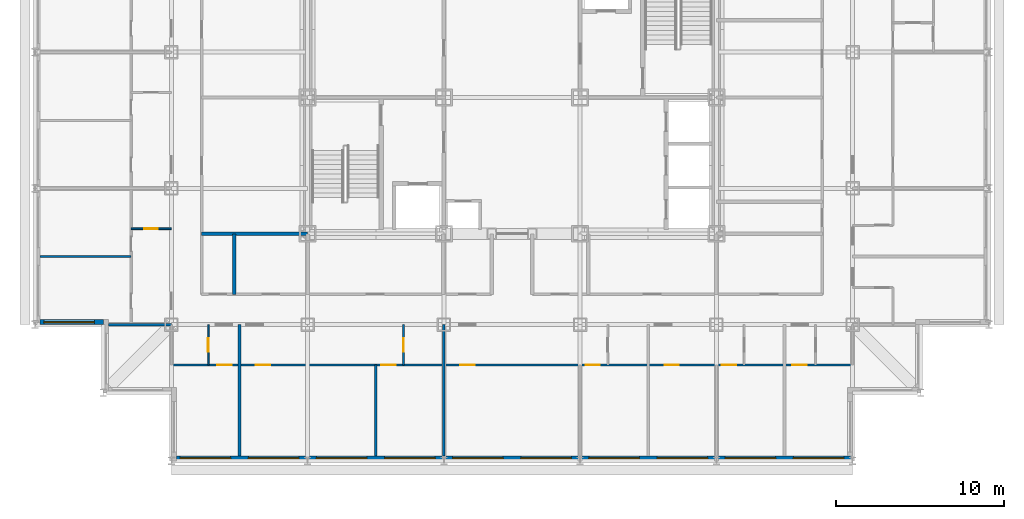
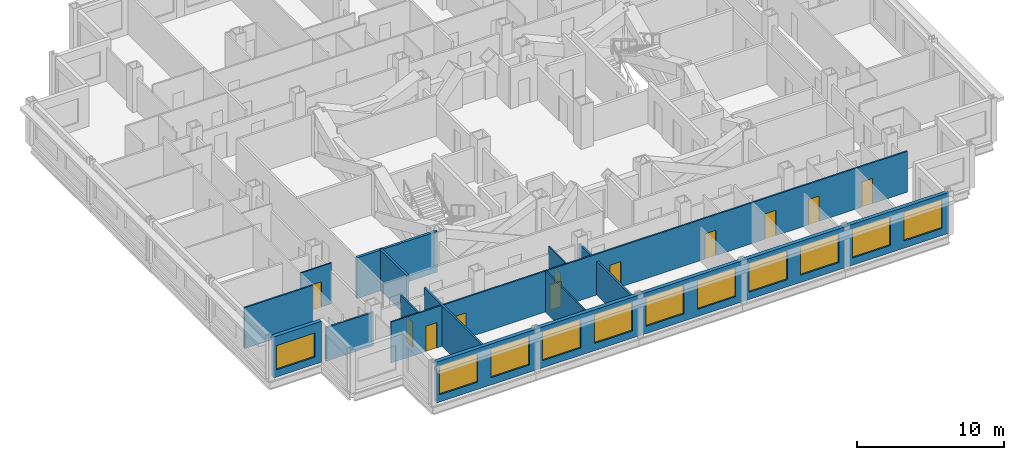
# One storey, part 4 of 12: 13 walls, 11 doors, 11 windows, 22 openings.
"""IFC4 building model written with IfcOpenShell, lengths in metres."""

from ifc_helpers import new_model, si_unit, direction, frame, frame_2d, origin, place, context, subcontext, project, spatial, rectangle, extrude, material, layer, layer_set, type_object, element, fill, save


model = new_model("IFC4")

# Units and contexts
model_context = context("Model", 3, precision=1e-05, world=origin(), true_north=direction((0.0, 1.0)))
body_context = subcontext(model_context, "Body", "Model", "MODEL_VIEW")
ifc_project = project(units=[si_unit("LENGTHUNIT", "METRE"), si_unit("AREAUNIT", "SQUARE_METRE"), si_unit("VOLUMEUNIT", "CUBIC_METRE"), si_unit("PLANEANGLEUNIT", "RADIAN"), si_unit("MASSUNIT", "GRAM", prefix="KILO")], contexts=[model_context])

# Site, building, storey
site_placement = place(None, origin())
site = spatial("IfcSite", under=ifc_project, at=site_placement, CompositionType="ELEMENT")
building_placement = place(site_placement, origin())
building = spatial("IfcBuilding", under=site, at=building_placement, Name="Kopane Lantern Tower", CompositionType="ELEMENT")
storey_placement = place(building_placement, frame((0.0, 0.0, 195.60009765625)))
storey = spatial("IfcBuildingStorey", under=building, at=storey_placement, Name="L50", CompositionType="ELEMENT", Elevation=195.60009765625)

# Walls
ifc_material_1 = material(Name="Gypsum board on steel studs", Category="steel")
ifc_layer_1 = layer(ifc_material_1, 0.1201171875)
ifc_layer_set_1 = layer_set([ifc_layer_1], Name="APARTMENT INTERNAL WALL 120")
wall_type_1 = type_object("IfcWallType", Name="APARTMENT INTERNAL WALL 120", PredefinedType="PARTITIONING", material=ifc_layer_set_1)
for number, where, z_axis, x_axis, name in (
    (1, (20.25, 16.5, 0.0), (0.0, 0.0, 1.0), (0.0, -1.0, 0.0), "Apartment Internal Wall 120 L50"),
    (2, (5.699951171875, 22.949951171875, 0.0), (0.0, 0.0, 1.0), (-1.0, 0.0, 0.0), "Apartment Internal Wall 120 L50"),
):
    element("IfcWall", number, at=place(storey_placement, frame(where, z_axis=z_axis, x_axis=x_axis)), inside=storey, type_object=wall_type_1, Name=name, PredefinedType="PARTITIONING", context=body_context, shape_type="SweptSolid", body=[
        extrude(rectangle(XDim=5.39990234375, YDim=0.1201171875, at=frame_2d((2.699951171875, 0.0))), origin(), (0.0, 0.0, 1.0), 3.389892578125),
    ])

# Wall, openings, doors
wall_1_placement = place(storey_placement, frame((8.10009765625, 16.5, 0.0), z_axis=(0.0, 0.0, 1.0), x_axis=(1.0, 0.0, 0.0)))
wall_1 = element("IfcWall", 3, at=wall_1_placement, inside=storey, type_object=wall_type_1, Name="Apartment Internal Wall 120 L50", PredefinedType="PARTITIONING", context=body_context, shape_type="SweptSolid", body=[
    extrude(rectangle(XDim=40.5, YDim=0.1201171875, at=frame_2d((20.25, 0.0))), origin(), (0.0, 0.0, 1.0), 3.389892578125),
])
opening_1_placement = place(wall_1_placement, frame((5.02490234375, 0.0, 0.0)))
opening_1 = element("IfcOpeningElement", 4, at=opening_1_placement, cuts=wall_1, Name="Opening L50-016", PredefinedType="OPENING", context=body_context, shape_type="SweptSolid", body=[
    extrude(rectangle(XDim=0.85009765625, YDim=2.10009765625, at=frame_2d((0.425048828125, 1.050048828125))), frame((0.0, 0.070068359375, 0.0), z_axis=(0.0, -1.0, 0.0), x_axis=(1.0, 0.0, 0.0)), (0.0, 0.0, 1.0), 0.14013671875),
])
opening_2_placement = place(wall_1_placement, frame((12.47509765625, 0.0, 0.0)))
opening_2 = element("IfcOpeningElement", 5, at=opening_2_placement, cuts=wall_1, Name="Opening L50-017", PredefinedType="OPENING", context=body_context, shape_type="SweptSolid", body=[
    extrude(rectangle(XDim=0.85009765625, YDim=2.10009765625, at=frame_2d((0.425048828125, 1.050048828125))), frame((0.0, 0.070068359375, 0.0), z_axis=(0.0, -1.0, 0.0), x_axis=(1.0, 0.0, 0.0)), (0.0, 0.0, 1.0), 0.14013671875),
])
opening_3_placement = place(wall_1_placement, frame((17.175048828125, 0.0, 0.0)))
opening_3 = element("IfcOpeningElement", 6, at=opening_3_placement, cuts=wall_1, Name="Opening L50-020", PredefinedType="OPENING", context=body_context, shape_type="SweptSolid", body=[
    extrude(rectangle(XDim=0.85009765625, YDim=2.10009765625, at=frame_2d((0.425048828125, 1.050048828125))), frame((0.0, 0.070068359375, 0.0), z_axis=(0.0, -1.0, 0.0), x_axis=(1.0, 0.0, 0.0)), (0.0, 0.0, 1.0), 0.14013671875),
])
opening_4_placement = place(wall_1_placement, frame((24.625, 0.0, 0.0)))
opening_4 = element("IfcOpeningElement", 7, at=opening_4_placement, cuts=wall_1, Name="Opening L50-021", PredefinedType="OPENING", context=body_context, shape_type="SweptSolid", body=[
    extrude(rectangle(XDim=0.85009765625, YDim=2.10009765625, at=frame_2d((0.425048828125, 1.050048828125))), frame((0.0, 0.070068359375, 0.0), z_axis=(0.0, -1.0, 0.0), x_axis=(1.0, 0.0, 0.0)), (0.0, 0.0, 1.0), 0.14013671875),
])
opening_5_placement = place(wall_1_placement, frame((29.324951171875, 0.0, 0.0)))
opening_5 = element("IfcOpeningElement", 8, at=opening_5_placement, cuts=wall_1, Name="Opening L50-024", PredefinedType="OPENING", context=body_context, shape_type="SweptSolid", body=[
    extrude(rectangle(XDim=0.85009765625, YDim=2.10009765625, at=frame_2d((0.425048828125, 1.050048828125))), frame((0.0, 0.070068359375, 0.0), z_axis=(0.0, -1.0, 0.0), x_axis=(1.0, 0.0, 0.0)), (0.0, 0.0, 1.0), 0.14013671875),
])
opening_6_placement = place(wall_1_placement, frame((32.72509765625, 0.0, 0.0)))
opening_6 = element("IfcOpeningElement", 9, at=opening_6_placement, cuts=wall_1, Name="Opening L50-025", PredefinedType="OPENING", context=body_context, shape_type="SweptSolid", body=[
    extrude(rectangle(XDim=0.85009765625, YDim=2.10009765625, at=frame_2d((0.425048828125, 1.050048828125))), frame((0.0, 0.070068359375, 0.0), z_axis=(0.0, -1.0, 0.0), x_axis=(1.0, 0.0, 0.0)), (0.0, 0.0, 1.0), 0.14013671875),
])
opening_7_placement = place(wall_1_placement, frame((2.72509765625, 0.0, 0.0)))
opening_7 = element("IfcOpeningElement", 10, at=opening_7_placement, cuts=wall_1, Name="Opening L50-064", PredefinedType="OPENING", context=body_context, shape_type="SweptSolid", body=[
    extrude(rectangle(XDim=0.85009765625, YDim=2.10009765625, at=frame_2d((0.425048828125, 1.050048828125))), frame((0.0, 0.070068359375, 0.0), z_axis=(0.0, -1.0, 0.0), x_axis=(1.0, 0.0, 0.0)), (0.0, 0.0, 1.0), 0.14013671875),
])
opening_8_placement = place(wall_1_placement, frame((36.925048828125, 0.0, 0.0)))
opening_8 = element("IfcOpeningElement", 11, at=opening_8_placement, cuts=wall_1, Name="Opening L50-067", PredefinedType="OPENING", context=body_context, shape_type="SweptSolid", body=[
    extrude(rectangle(XDim=0.85009765625, YDim=2.10009765625, at=frame_2d((0.425048828125, 1.050048828125))), frame((0.0, 0.070068359375, 0.0), z_axis=(0.0, -1.0, 0.0), x_axis=(1.0, 0.0, 0.0)), (0.0, 0.0, 1.0), 0.14013671875),
])
ifc_material_2 = material(Name="Timber door set", Category="wood")
door_type_1 = type_object("IfcDoorType", Name="DOOR D4 850x2100", OperationType="SINGLE_SWING_LEFT", PredefinedType="DOOR", material=ifc_material_2)
door_1_placement = place(opening_1_placement, origin())
door_1 = element("IfcDoor", 12, at=door_1_placement, inside=storey, type_object=door_type_1, Name="Door L50-016", OperationType="SINGLE_SWING_LEFT", OverallHeight=2.10009765625, OverallWidth=0.85009765625, PredefinedType="DOOR", context=body_context, shape_type="SweptSolid", body=[
    extrude(rectangle(XDim=0.85009765625, YDim=2.10009765625, at=frame_2d((0.425048828125, 1.050048828125))), frame((0.0, 0.02490234375, 0.0), z_axis=(0.0, -1.0, 0.0), x_axis=(1.0, 0.0, 0.0)), (0.0, 0.0, 1.0), 0.050048828125),
])
fill(opening_1, door_1)
door_2_placement = place(opening_2_placement, origin())
door_2 = element("IfcDoor", 13, at=door_2_placement, inside=storey, type_object=door_type_1, Name="Door L50-017", OperationType="SINGLE_SWING_RIGHT", OverallHeight=2.10009765625, OverallWidth=0.85009765625, PredefinedType="DOOR", context=body_context, shape_type="SweptSolid", body=[
    extrude(rectangle(XDim=0.85009765625, YDim=2.10009765625, at=frame_2d((0.425048828125, 1.050048828125))), frame((0.0, 0.02490234375, 0.0), z_axis=(0.0, -1.0, 0.0), x_axis=(1.0, 0.0, 0.0)), (0.0, 0.0, 1.0), 0.050048828125),
])
fill(opening_2, door_2)
door_3_placement = place(opening_3_placement, origin())
door_3 = element("IfcDoor", 14, at=door_3_placement, inside=storey, type_object=door_type_1, Name="Door L50-020", OperationType="SINGLE_SWING_RIGHT", OverallHeight=2.10009765625, OverallWidth=0.85009765625, PredefinedType="DOOR", context=body_context, shape_type="SweptSolid", body=[
    extrude(rectangle(XDim=0.85009765625, YDim=2.10009765625, at=frame_2d((0.425048828125, 1.050048828125))), frame((0.0, 0.02490234375, 0.0), z_axis=(0.0, -1.0, 0.0), x_axis=(1.0, 0.0, 0.0)), (0.0, 0.0, 1.0), 0.050048828125),
])
fill(opening_3, door_3)
door_4_placement = place(opening_4_placement, origin())
door_4 = element("IfcDoor", 15, at=door_4_placement, inside=storey, type_object=door_type_1, Name="Door L50-021", OperationType="SINGLE_SWING_RIGHT", OverallHeight=2.10009765625, OverallWidth=0.85009765625, PredefinedType="DOOR", context=body_context, shape_type="SweptSolid", body=[
    extrude(rectangle(XDim=0.85009765625, YDim=2.10009765625, at=frame_2d((0.425048828125, 1.050048828125))), frame((0.0, 0.02490234375, 0.0), z_axis=(0.0, -1.0, 0.0), x_axis=(1.0, 0.0, 0.0)), (0.0, 0.0, 1.0), 0.050048828125),
])
fill(opening_4, door_4)
door_5_placement = place(opening_5_placement, origin())
door_5 = element("IfcDoor", 16, at=door_5_placement, inside=storey, type_object=door_type_1, Name="Door L50-024", OperationType="SINGLE_SWING_LEFT", OverallHeight=2.10009765625, OverallWidth=0.85009765625, PredefinedType="DOOR", context=body_context, shape_type="SweptSolid", body=[
    extrude(rectangle(XDim=0.85009765625, YDim=2.10009765625, at=frame_2d((0.425048828125, 1.050048828125))), frame((0.0, 0.02490234375, 0.0), z_axis=(0.0, -1.0, 0.0), x_axis=(1.0, 0.0, 0.0)), (0.0, 0.0, 1.0), 0.050048828125),
])
fill(opening_5, door_5)
door_6_placement = place(opening_6_placement, origin())
door_6 = element("IfcDoor", 17, at=door_6_placement, inside=storey, type_object=door_type_1, Name="Door L50-025", OperationType="SINGLE_SWING_RIGHT", OverallHeight=2.10009765625, OverallWidth=0.85009765625, PredefinedType="DOOR", context=body_context, shape_type="SweptSolid", body=[
    extrude(rectangle(XDim=0.85009765625, YDim=2.10009765625, at=frame_2d((0.425048828125, 1.050048828125))), frame((0.0, 0.02490234375, 0.0), z_axis=(0.0, -1.0, 0.0), x_axis=(1.0, 0.0, 0.0)), (0.0, 0.0, 1.0), 0.050048828125),
])
fill(opening_6, door_6)
door_7_placement = place(opening_7_placement, origin())
door_7 = element("IfcDoor", 18, at=door_7_placement, inside=storey, type_object=door_type_1, Name="Door L50-064", OperationType="SINGLE_SWING_LEFT", OverallHeight=2.10009765625, OverallWidth=0.85009765625, PredefinedType="DOOR", context=body_context, shape_type="SweptSolid", body=[
    extrude(rectangle(XDim=0.85009765625, YDim=2.10009765625, at=frame_2d((0.425048828125, 1.050048828125))), frame((0.0, 0.02490234375, 0.0), z_axis=(0.0, -1.0, 0.0), x_axis=(1.0, 0.0, 0.0)), (0.0, 0.0, 1.0), 0.050048828125),
])
fill(opening_7, door_7)
door_8_placement = place(opening_8_placement, origin())
door_8 = element("IfcDoor", 19, at=door_8_placement, inside=storey, type_object=door_type_1, Name="Door L50-067", OperationType="SINGLE_SWING_RIGHT", OverallHeight=2.10009765625, OverallWidth=0.85009765625, PredefinedType="DOOR", context=body_context, shape_type="SweptSolid", body=[
    extrude(rectangle(XDim=0.85009765625, YDim=2.10009765625, at=frame_2d((0.425048828125, 1.050048828125))), frame((0.0, 0.02490234375, 0.0), z_axis=(0.0, -1.0, 0.0), x_axis=(1.0, 0.0, 0.0)), (0.0, 0.0, 1.0), 0.050048828125),
])
fill(opening_8, door_8)

# Wall, opening, door
ifc_material_3 = material(Name="Moisture-resistant board on steel studs", Category="steel")
ifc_layer_2 = layer(ifc_material_3, 0.10009765625)
ifc_layer_set_2 = layer_set([ifc_layer_2], Name="BATHROOM WALL 100")
wall_type_2 = type_object("IfcWallType", Name="BATHROOM WALL 100", PredefinedType="PARTITIONING", material=ifc_layer_set_2)
wall_2_placement = place(storey_placement, frame((21.89990234375, 18.89990234375, 0.0), z_axis=(0.0, 0.0, 1.0), x_axis=(0.0, -1.0, 0.0)))
wall_2 = element("IfcWall", 20, at=wall_2_placement, inside=storey, type_object=wall_type_2, Name="Bathroom Wall 100 L50", PredefinedType="PARTITIONING", context=body_context, shape_type="SweptSolid", body=[
    extrude(rectangle(XDim=2.39990234375, YDim=0.10009765625, at=frame_2d((1.199951171875, 0.0))), origin(), (0.0, 0.0, 1.0), 3.389892578125),
])
opening_9_placement = place(wall_2_placement, frame((0.800048828125, 0.0, 0.0)))
opening_9 = element("IfcOpeningElement", 21, at=opening_9_placement, cuts=wall_2, Name="Opening L50-014", PredefinedType="OPENING", context=body_context, shape_type="SweptSolid", body=[
    extrude(rectangle(XDim=0.800048828125, YDim=2.10009765625, at=frame_2d((0.39990234375, 1.050048828125))), frame((0.0, 0.06005859375, 0.0), z_axis=(0.0, -1.0, 0.0), x_axis=(1.0, 0.0, 0.0)), (0.0, 0.0, 1.0), 0.1201171875),
])
ifc_material_4 = material(Name="Timber door set", Category="wood")
door_type_2 = type_object("IfcDoorType", Name="DOOR D2 800x2100", OperationType="SINGLE_SWING_LEFT", PredefinedType="DOOR", material=ifc_material_4)
door_9_placement = place(opening_9_placement, origin())
door_9 = element("IfcDoor", 22, at=door_9_placement, inside=storey, type_object=door_type_2, Name="Door L50-014", OperationType="SINGLE_SWING_LEFT", OverallHeight=2.10009765625, OverallWidth=0.800048828125, PredefinedType="DOOR", context=body_context, shape_type="SweptSolid", body=[
    extrude(rectangle(XDim=0.800048828125, YDim=2.10009765625, at=frame_2d((0.39990234375, 1.050048828125))), frame((0.0, 0.02490234375, 0.0), z_axis=(0.0, -1.0, 0.0), x_axis=(1.0, 0.0, 0.0)), (0.0, 0.0, 1.0), 0.050048828125),
])
fill(opening_9, door_9)

wall_3_placement = place(storey_placement, frame((8.10009765625, 24.60009765625, 0.0), z_axis=(0.0, 0.0, 1.0), x_axis=(-1.0, 0.0, 0.0)))
wall_3 = element("IfcWall", 23, at=wall_3_placement, inside=storey, type_object=wall_type_2, Name="Bathroom Wall 100 L50", PredefinedType="PARTITIONING", context=body_context, shape_type="SweptSolid", body=[
    extrude(rectangle(XDim=2.400146484375, YDim=0.10009765625, at=frame_2d((1.2001953125, 0.0))), origin(), (0.0, 0.0, 1.0), 3.389892578125),
])
opening_10_placement = place(wall_3_placement, frame((0.800048828125, 0.0, 0.0)))
opening_10 = element("IfcOpeningElement", 24, at=opening_10_placement, cuts=wall_3, Name="Opening L50-040", PredefinedType="OPENING", context=body_context, shape_type="SweptSolid", body=[
    extrude(rectangle(XDim=0.800048828125, YDim=2.10009765625, at=frame_2d((0.39990234375, 1.050048828125))), frame((0.0, 0.06005859375, 0.0), z_axis=(0.0, -1.0, 0.0), x_axis=(1.0, 0.0, 0.0)), (0.0, 0.0, 1.0), 0.1201171875),
])
door_10_placement = place(opening_10_placement, origin())
door_10 = element("IfcDoor", 25, at=door_10_placement, inside=storey, type_object=door_type_2, Name="Door L50-040", OperationType="SINGLE_SWING_RIGHT", OverallHeight=2.10009765625, OverallWidth=0.800048828125, PredefinedType="DOOR", context=body_context, shape_type="SweptSolid", body=[
    extrude(rectangle(XDim=0.800048828125, YDim=2.10009765625, at=frame_2d((0.39990234375, 1.050048828125))), frame((0.0, 0.02490234375, 0.0), z_axis=(0.0, -1.0, 0.0), x_axis=(1.0, 0.0, 0.0)), (0.0, 0.0, 1.0), 0.050048828125),
])
fill(opening_10, door_10)

wall_4_placement = place(storey_placement, frame((10.300048828125, 18.89990234375, 0.0), z_axis=(0.0, 0.0, 1.0), x_axis=(0.0, -1.0, 0.0)))
wall_4 = element("IfcWall", 26, at=wall_4_placement, inside=storey, type_object=wall_type_2, Name="Bathroom Wall 100 L50", PredefinedType="PARTITIONING", context=body_context, shape_type="SweptSolid", body=[
    extrude(rectangle(XDim=2.39990234375, YDim=0.10009765625, at=frame_2d((1.199951171875, 0.0))), origin(), (0.0, 0.0, 1.0), 3.389892578125),
])
opening_11_placement = place(wall_4_placement, frame((0.800048828125, 0.0, 0.0)))
opening_11 = element("IfcOpeningElement", 27, at=opening_11_placement, cuts=wall_4, Name="Opening L50-062", PredefinedType="OPENING", context=body_context, shape_type="SweptSolid", body=[
    extrude(rectangle(XDim=0.800048828125, YDim=2.10009765625, at=frame_2d((0.39990234375, 1.050048828125))), frame((0.0, 0.06005859375, 0.0), z_axis=(0.0, -1.0, 0.0), x_axis=(1.0, 0.0, 0.0)), (0.0, 0.0, 1.0), 0.1201171875),
])
door_11_placement = place(opening_11_placement, origin())
door_11 = element("IfcDoor", 28, at=door_11_placement, inside=storey, type_object=door_type_2, Name="Door L50-062", OperationType="SINGLE_SWING_RIGHT", OverallHeight=2.10009765625, OverallWidth=0.800048828125, PredefinedType="DOOR", context=body_context, shape_type="SweptSolid", body=[
    extrude(rectangle(XDim=0.800048828125, YDim=2.10009765625, at=frame_2d((0.39990234375, 1.050048828125))), frame((0.0, 0.02490234375, 0.0), z_axis=(0.0, -1.0, 0.0), x_axis=(1.0, 0.0, 0.0)), (0.0, 0.0, 1.0), 0.050048828125),
])
fill(opening_11, door_11)

# Walls
ifc_material_5 = material(Name="Gypsum board on steel studs", Category="steel")
ifc_layer_3 = layer(ifc_material_5, 0.14990234375)
ifc_layer_set_3 = layer_set([ifc_layer_3], Name="DEMISING WALL 150 EI 60")
wall_type_3 = type_object("IfcWallType", Name="DEMISING WALL 150 EI 60", PredefinedType="PARTITIONING", material=ifc_layer_set_3)
wall_5_placement = place(storey_placement, frame((24.300048828125, 18.89990234375, 0.0), z_axis=(0.0, 0.0, 1.0), x_axis=(0.0, -1.0, 0.0)))
element("IfcWall", 29, at=wall_5_placement, inside=storey, type_object=wall_type_3, Name="Demising Wall 150 Ei 60 L50", PredefinedType="PARTITIONING", context=body_context, shape_type="SweptSolid", body=[
    extrude(rectangle(XDim=7.7998046875, YDim=0.14990234375, at=frame_2d((3.89990234375, 0.0))), origin(), (0.0, 0.0, 1.0), 2.777587890625),
])
wall_6_placement = place(storey_placement, frame((4.35009765625, 18.89990234375, 0.0), z_axis=(0.0, 0.0, 1.0), x_axis=(1.0, 0.0, 0.0)))
element("IfcWall", 30, at=wall_6_placement, inside=storey, type_object=wall_type_3, Name="Demising Wall 150 Ei 60 L50", PredefinedType="PARTITIONING", context=body_context, shape_type="SweptSolid", body=[
    extrude(rectangle(XDim=3.75, YDim=0.14990234375, at=frame_2d((1.875, 0.0))), origin(), (0.0, 0.0, 1.0), 2.777587890625),
])
wall_7_placement = place(storey_placement, frame((12.14990234375, 18.89990234375, 0.0), z_axis=(0.0, 0.0, 1.0), x_axis=(0.0, -1.0, 0.0)))
element("IfcWall", 31, at=wall_7_placement, inside=storey, type_object=wall_type_3, Name="Demising Wall 150 Ei 60 L50", PredefinedType="PARTITIONING", context=body_context, shape_type="SweptSolid", body=[
    extrude(rectangle(XDim=7.7998046875, YDim=0.14990234375, at=frame_2d((3.89990234375, 0.0))), origin(), (0.0, 0.0, 1.0), 3.389892578125),
])

# Wall, openings, windows
ifc_material_6 = material(Name="Terracotta rainscreen on light steel framing", Category="masonry")
ifc_layer_4 = layer(ifc_material_6, 0.300048828125)
ifc_layer_set_4 = layer_set([ifc_layer_4], Name="EXTERNAL WALL EW1 300 TERRACOTTA")
wall_type_4 = type_object("IfcWallType", Name="EXTERNAL WALL EW1 300 TERRACOTTA", PredefinedType="SOLIDWALL", material=ifc_layer_set_4)
wall_8_placement = place(storey_placement, frame((8.39990234375, 10.949951171875, 0.0), z_axis=(0.0, 0.0, 1.0), x_axis=(1.0, 0.0, 0.0)))
wall_8 = element("IfcWall", 32, at=wall_8_placement, inside=storey, type_object=wall_type_4, Name="External wall S L50", PredefinedType="SOLIDWALL", context=body_context, shape_type="SweptSolid", body=[
    extrude(rectangle(XDim=40.2001953125, YDim=0.300048828125, at=frame_2d((20.10009765625, 0.0))), origin(), (0.0, 0.0, 1.0), 3.389892578125),
])
opening_12_placement = place(wall_8_placement, frame((0.22509765625, 0.0, 0.60009765625)))
opening_12 = element("IfcOpeningElement", 33, at=opening_12_placement, cuts=wall_8, Name="Opening WR300240", PredefinedType="OPENING", context=body_context, shape_type="SweptSolid", body=[
    extrude(rectangle(XDim=3.0, YDim=2.39990234375, at=frame_2d((1.5, 1.199951171875))), frame((0.0, 0.159912109375, 0.0), z_axis=(0.0, -1.0, 0.0), x_axis=(1.0, 0.0, 0.0)), (0.0, 0.0, 1.0), 0.320068359375),
])
opening_13_placement = place(wall_8_placement, frame((4.27490234375, 0.0, 0.60009765625)))
opening_13 = element("IfcOpeningElement", 34, at=opening_13_placement, cuts=wall_8, Name="Opening WR300240", PredefinedType="OPENING", context=body_context, shape_type="SweptSolid", body=[
    extrude(rectangle(XDim=3.0, YDim=2.39990234375, at=frame_2d((1.5, 1.199951171875))), frame((0.0, 0.159912109375, 0.0), z_axis=(0.0, -1.0, 0.0), x_axis=(1.0, 0.0, 0.0)), (0.0, 0.0, 1.0), 0.320068359375),
])
opening_14_placement = place(wall_8_placement, frame((8.324951171875, 0.0, 0.60009765625)))
opening_14 = element("IfcOpeningElement", 35, at=opening_14_placement, cuts=wall_8, Name="Opening WR300240", PredefinedType="OPENING", context=body_context, shape_type="SweptSolid", body=[
    extrude(rectangle(XDim=3.0, YDim=2.39990234375, at=frame_2d((1.5, 1.199951171875))), frame((0.0, 0.159912109375, 0.0), z_axis=(0.0, -1.0, 0.0), x_axis=(1.0, 0.0, 0.0)), (0.0, 0.0, 1.0), 0.320068359375),
])
opening_15_placement = place(wall_8_placement, frame((12.375, 0.0, 0.60009765625)))
opening_15 = element("IfcOpeningElement", 36, at=opening_15_placement, cuts=wall_8, Name="Opening WR300240", PredefinedType="OPENING", context=body_context, shape_type="SweptSolid", body=[
    extrude(rectangle(XDim=3.0, YDim=2.39990234375, at=frame_2d((1.5, 1.199951171875))), frame((0.0, 0.159912109375, 0.0), z_axis=(0.0, -1.0, 0.0), x_axis=(1.0, 0.0, 0.0)), (0.0, 0.0, 1.0), 0.320068359375),
])
opening_16_placement = place(wall_8_placement, frame((16.425048828125, 0.0, 0.60009765625)))
opening_16 = element("IfcOpeningElement", 37, at=opening_16_placement, cuts=wall_8, Name="Opening WR300240", PredefinedType="OPENING", context=body_context, shape_type="SweptSolid", body=[
    extrude(rectangle(XDim=3.0, YDim=2.39990234375, at=frame_2d((1.5, 1.199951171875))), frame((0.0, 0.159912109375, 0.0), z_axis=(0.0, -1.0, 0.0), x_axis=(1.0, 0.0, 0.0)), (0.0, 0.0, 1.0), 0.320068359375),
])
opening_17_placement = place(wall_8_placement, frame((20.47509765625, 0.0, 0.60009765625)))
opening_17 = element("IfcOpeningElement", 38, at=opening_17_placement, cuts=wall_8, Name="Opening WR300240", PredefinedType="OPENING", context=body_context, shape_type="SweptSolid", body=[
    extrude(rectangle(XDim=3.0, YDim=2.39990234375, at=frame_2d((1.5, 1.199951171875))), frame((0.0, 0.159912109375, 0.0), z_axis=(0.0, -1.0, 0.0), x_axis=(1.0, 0.0, 0.0)), (0.0, 0.0, 1.0), 0.320068359375),
])
opening_18_placement = place(wall_8_placement, frame((24.52490234375, 0.0, 0.60009765625)))
opening_18 = element("IfcOpeningElement", 39, at=opening_18_placement, cuts=wall_8, Name="Opening WR300240", PredefinedType="OPENING", context=body_context, shape_type="SweptSolid", body=[
    extrude(rectangle(XDim=3.0, YDim=2.39990234375, at=frame_2d((1.5, 1.199951171875))), frame((0.0, 0.159912109375, 0.0), z_axis=(0.0, -1.0, 0.0), x_axis=(1.0, 0.0, 0.0)), (0.0, 0.0, 1.0), 0.320068359375),
])
opening_19_placement = place(wall_8_placement, frame((28.574951171875, 0.0, 0.60009765625)))
opening_19 = element("IfcOpeningElement", 40, at=opening_19_placement, cuts=wall_8, Name="Opening WR300240", PredefinedType="OPENING", context=body_context, shape_type="SweptSolid", body=[
    extrude(rectangle(XDim=3.0, YDim=2.39990234375, at=frame_2d((1.5, 1.199951171875))), frame((0.0, 0.159912109375, 0.0), z_axis=(0.0, -1.0, 0.0), x_axis=(1.0, 0.0, 0.0)), (0.0, 0.0, 1.0), 0.320068359375),
])
opening_20_placement = place(wall_8_placement, frame((32.625, 0.0, 0.60009765625)))
opening_20 = element("IfcOpeningElement", 41, at=opening_20_placement, cuts=wall_8, Name="Opening WR300240", PredefinedType="OPENING", context=body_context, shape_type="SweptSolid", body=[
    extrude(rectangle(XDim=3.0, YDim=2.39990234375, at=frame_2d((1.5, 1.199951171875))), frame((0.0, 0.159912109375, 0.0), z_axis=(0.0, -1.0, 0.0), x_axis=(1.0, 0.0, 0.0)), (0.0, 0.0, 1.0), 0.320068359375),
])
opening_21_placement = place(wall_8_placement, frame((36.675048828125, 0.0, 0.60009765625)))
opening_21 = element("IfcOpeningElement", 42, at=opening_21_placement, cuts=wall_8, Name="Opening WR300240", PredefinedType="OPENING", context=body_context, shape_type="SweptSolid", body=[
    extrude(rectangle(XDim=3.0, YDim=2.39990234375, at=frame_2d((1.5, 1.199951171875))), frame((0.0, 0.159912109375, 0.0), z_axis=(0.0, -1.0, 0.0), x_axis=(1.0, 0.0, 0.0)), (0.0, 0.0, 1.0), 0.320068359375),
])
ifc_material_7 = material(Name="Aluminium and clear glass", Category="aluminium")
window_type_1 = type_object("IfcWindowType", Name="RIBBON WINDOW WR300240 3000x2400", PartitioningType="SINGLE_PANEL", PredefinedType="WINDOW", material=ifc_material_7)
window_1_placement = place(opening_12_placement, origin())
window_1 = element("IfcWindow", 43, at=window_1_placement, inside=storey, type_object=window_type_1, Name="Window S L50", OverallHeight=2.39990234375, OverallWidth=3.0, PartitioningType="SINGLE_PANEL", PredefinedType="WINDOW", context=body_context, shape_type="SweptSolid", body=[
    extrude(rectangle(XDim=3.0, YDim=2.39990234375, at=frame_2d((1.5, 1.199951171875))), frame((0.0, 0.030029296875, 0.0), z_axis=(0.0, -1.0, 0.0), x_axis=(1.0, 0.0, 0.0)), (0.0, 0.0, 1.0), 0.06005859375),
])
fill(opening_12, window_1)
window_2_placement = place(opening_13_placement, origin())
window_2 = element("IfcWindow", 44, at=window_2_placement, inside=storey, type_object=window_type_1, Name="Window S L50", OverallHeight=2.39990234375, OverallWidth=3.0, PartitioningType="SINGLE_PANEL", PredefinedType="WINDOW", context=body_context, shape_type="SweptSolid", body=[
    extrude(rectangle(XDim=3.0, YDim=2.39990234375, at=frame_2d((1.5, 1.199951171875))), frame((0.0, 0.030029296875, 0.0), z_axis=(0.0, -1.0, 0.0), x_axis=(1.0, 0.0, 0.0)), (0.0, 0.0, 1.0), 0.06005859375),
])
fill(opening_13, window_2)
window_3_placement = place(opening_14_placement, origin())
window_3 = element("IfcWindow", 45, at=window_3_placement, inside=storey, type_object=window_type_1, Name="Window S L50", OverallHeight=2.39990234375, OverallWidth=3.0, PartitioningType="SINGLE_PANEL", PredefinedType="WINDOW", context=body_context, shape_type="SweptSolid", body=[
    extrude(rectangle(XDim=3.0, YDim=2.39990234375, at=frame_2d((1.5, 1.199951171875))), frame((0.0, 0.030029296875, 0.0), z_axis=(0.0, -1.0, 0.0), x_axis=(1.0, 0.0, 0.0)), (0.0, 0.0, 1.0), 0.06005859375),
])
fill(opening_14, window_3)
window_4_placement = place(opening_15_placement, origin())
window_4 = element("IfcWindow", 46, at=window_4_placement, inside=storey, type_object=window_type_1, Name="Window S L50", OverallHeight=2.39990234375, OverallWidth=3.0, PartitioningType="SINGLE_PANEL", PredefinedType="WINDOW", context=body_context, shape_type="SweptSolid", body=[
    extrude(rectangle(XDim=3.0, YDim=2.39990234375, at=frame_2d((1.5, 1.199951171875))), frame((0.0, 0.030029296875, 0.0), z_axis=(0.0, -1.0, 0.0), x_axis=(1.0, 0.0, 0.0)), (0.0, 0.0, 1.0), 0.06005859375),
])
fill(opening_15, window_4)
window_5_placement = place(opening_16_placement, origin())
window_5 = element("IfcWindow", 47, at=window_5_placement, inside=storey, type_object=window_type_1, Name="Window S L50", OverallHeight=2.39990234375, OverallWidth=3.0, PartitioningType="SINGLE_PANEL", PredefinedType="WINDOW", context=body_context, shape_type="SweptSolid", body=[
    extrude(rectangle(XDim=3.0, YDim=2.39990234375, at=frame_2d((1.5, 1.199951171875))), frame((0.0, 0.030029296875, 0.0), z_axis=(0.0, -1.0, 0.0), x_axis=(1.0, 0.0, 0.0)), (0.0, 0.0, 1.0), 0.06005859375),
])
fill(opening_16, window_5)
window_6_placement = place(opening_17_placement, origin())
window_6 = element("IfcWindow", 48, at=window_6_placement, inside=storey, type_object=window_type_1, Name="Window S L50", OverallHeight=2.39990234375, OverallWidth=3.0, PartitioningType="SINGLE_PANEL", PredefinedType="WINDOW", context=body_context, shape_type="SweptSolid", body=[
    extrude(rectangle(XDim=3.0, YDim=2.39990234375, at=frame_2d((1.5, 1.199951171875))), frame((0.0, 0.030029296875, 0.0), z_axis=(0.0, -1.0, 0.0), x_axis=(1.0, 0.0, 0.0)), (0.0, 0.0, 1.0), 0.06005859375),
])
fill(opening_17, window_6)
window_7_placement = place(opening_18_placement, origin())
window_7 = element("IfcWindow", 49, at=window_7_placement, inside=storey, type_object=window_type_1, Name="Window S L50", OverallHeight=2.39990234375, OverallWidth=3.0, PartitioningType="SINGLE_PANEL", PredefinedType="WINDOW", context=body_context, shape_type="SweptSolid", body=[
    extrude(rectangle(XDim=3.0, YDim=2.39990234375, at=frame_2d((1.5, 1.199951171875))), frame((0.0, 0.030029296875, 0.0), z_axis=(0.0, -1.0, 0.0), x_axis=(1.0, 0.0, 0.0)), (0.0, 0.0, 1.0), 0.06005859375),
])
fill(opening_18, window_7)
window_8_placement = place(opening_19_placement, origin())
window_8 = element("IfcWindow", 50, at=window_8_placement, inside=storey, type_object=window_type_1, Name="Window S L50", OverallHeight=2.39990234375, OverallWidth=3.0, PartitioningType="SINGLE_PANEL", PredefinedType="WINDOW", context=body_context, shape_type="SweptSolid", body=[
    extrude(rectangle(XDim=3.0, YDim=2.39990234375, at=frame_2d((1.5, 1.199951171875))), frame((0.0, 0.030029296875, 0.0), z_axis=(0.0, -1.0, 0.0), x_axis=(1.0, 0.0, 0.0)), (0.0, 0.0, 1.0), 0.06005859375),
])
fill(opening_19, window_8)
window_9_placement = place(opening_20_placement, origin())
window_9 = element("IfcWindow", 51, at=window_9_placement, inside=storey, type_object=window_type_1, Name="Window S L50", OverallHeight=2.39990234375, OverallWidth=3.0, PartitioningType="SINGLE_PANEL", PredefinedType="WINDOW", context=body_context, shape_type="SweptSolid", body=[
    extrude(rectangle(XDim=3.0, YDim=2.39990234375, at=frame_2d((1.5, 1.199951171875))), frame((0.0, 0.030029296875, 0.0), z_axis=(0.0, -1.0, 0.0), x_axis=(1.0, 0.0, 0.0)), (0.0, 0.0, 1.0), 0.06005859375),
])
fill(opening_20, window_9)
window_10_placement = place(opening_21_placement, origin())
window_10 = element("IfcWindow", 52, at=window_10_placement, inside=storey, type_object=window_type_1, Name="Window S L50", OverallHeight=2.39990234375, OverallWidth=3.0, PartitioningType="SINGLE_PANEL", PredefinedType="WINDOW", context=body_context, shape_type="SweptSolid", body=[
    extrude(rectangle(XDim=3.0, YDim=2.39990234375, at=frame_2d((1.5, 1.199951171875))), frame((0.0, 0.030029296875, 0.0), z_axis=(0.0, -1.0, 0.0), x_axis=(1.0, 0.0, 0.0)), (0.0, 0.0, 1.0), 0.06005859375),
])
fill(opening_21, window_10)

# Wall, opening, window
wall_9_placement = place(storey_placement, frame((0.300048828125, 19.050048828125, 0.0), z_axis=(0.0, 0.0, 1.0), x_axis=(1.0, 0.0, 0.0)))
wall_9 = element("IfcWall", 53, at=wall_9_placement, inside=storey, type_object=wall_type_4, Name="External wall S L50", PredefinedType="SOLIDWALL", context=body_context, shape_type="SweptSolid", body=[
    extrude(rectangle(XDim=3.75, YDim=0.300048828125, at=frame_2d((1.875, 0.0))), origin(), (0.0, 0.0, 1.0), 3.389892578125),
])
opening_22_placement = place(wall_9_placement, frame((0.22509765625, 0.0, 0.60009765625)))
opening_22 = element("IfcOpeningElement", 54, at=opening_22_placement, cuts=wall_9, Name="Opening WR300200", PredefinedType="OPENING", context=body_context, shape_type="SweptSolid", body=[
    extrude(rectangle(XDim=3.0, YDim=2.0, at=frame_2d((1.5, 1.0))), frame((0.0, 0.159912109375, 0.0), z_axis=(0.0, -1.0, 0.0), x_axis=(1.0, 0.0, 0.0)), (0.0, 0.0, 1.0), 0.320068359375),
])
ifc_material_8 = material(Name="Aluminium and clear glass", Category="aluminium")
window_type_2 = type_object("IfcWindowType", Name="RIBBON WINDOW WR300200 3000x2000", PartitioningType="SINGLE_PANEL", PredefinedType="WINDOW", material=ifc_material_8)
window_11_placement = place(opening_22_placement, origin())
window_11 = element("IfcWindow", 55, at=window_11_placement, inside=storey, type_object=window_type_2, Name="Window S L50", OverallHeight=2.0, OverallWidth=3.0, PartitioningType="SINGLE_PANEL", PredefinedType="WINDOW", context=body_context, shape_type="SweptSolid", body=[
    extrude(rectangle(XDim=3.0, YDim=2.0, at=frame_2d((1.5, 1.0))), frame((0.0, 0.030029296875, 0.0), z_axis=(0.0, -1.0, 0.0), x_axis=(1.0, 0.0, 0.0)), (0.0, 0.0, 1.0), 0.06005859375),
])
fill(opening_22, window_11)

# Walls
ifc_material_9 = material(Name="Concrete masonry", Category="masonry")
ifc_layer_5 = layer(ifc_material_9, 0.199951171875)
ifc_layer_set_5 = layer_set([ifc_layer_5], Name="PLANT ROOM WALL 200 EI 120")
wall_type_5 = type_object("IfcWallType", Name="PLANT ROOM WALL 200 EI 120", PredefinedType="SOLIDWALL", material=ifc_layer_set_5)
wall_10_placement = place(storey_placement, frame((11.844482421875, 20.699951171875, 0.0), z_axis=(0.0, 0.0, 1.0), x_axis=(0.0, 1.0, 0.0)))
element("IfcWall", 56, at=wall_10_placement, inside=storey, type_object=wall_type_5, Name="Plant Room Wall 200 Ei 120 L50", PredefinedType="SOLIDWALL", context=body_context, shape_type="SweptSolid", body=[
    extrude(rectangle(XDim=3.60009765625, YDim=0.199951171875, at=frame_2d((1.800048828125, 0.0))), origin(), (0.0, 0.0, 1.0), 3.389892578125),
])
wall_11_placement = place(storey_placement, frame((9.89990234375, 24.300048828125, 0.0), z_axis=(0.0, 0.0, 1.0), x_axis=(1.0, 0.0, 0.0)))
element("IfcWall", 57, at=wall_11_placement, inside=storey, type_object=wall_type_5, Name="Plant Room Wall 200 Ei 120 L50", PredefinedType="SOLIDWALL", context=body_context, shape_type="SweptSolid", body=[
    extrude(rectangle(XDim=6.300048828125, YDim=0.199951171875, at=frame_2d((3.14990234375, 0.0))), origin(), (0.0, 0.0, 1.0), 3.389892578125),
])

save(model, "model.ifc")
